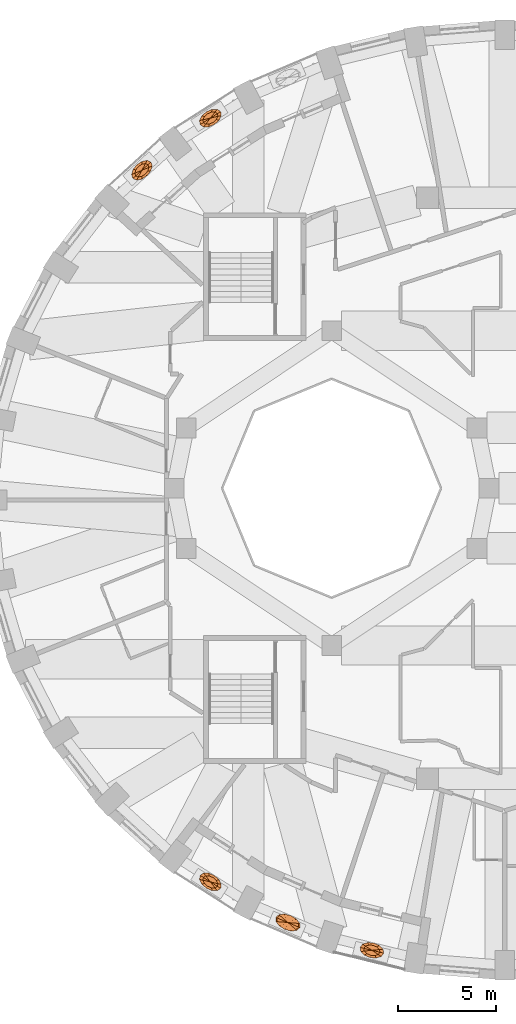
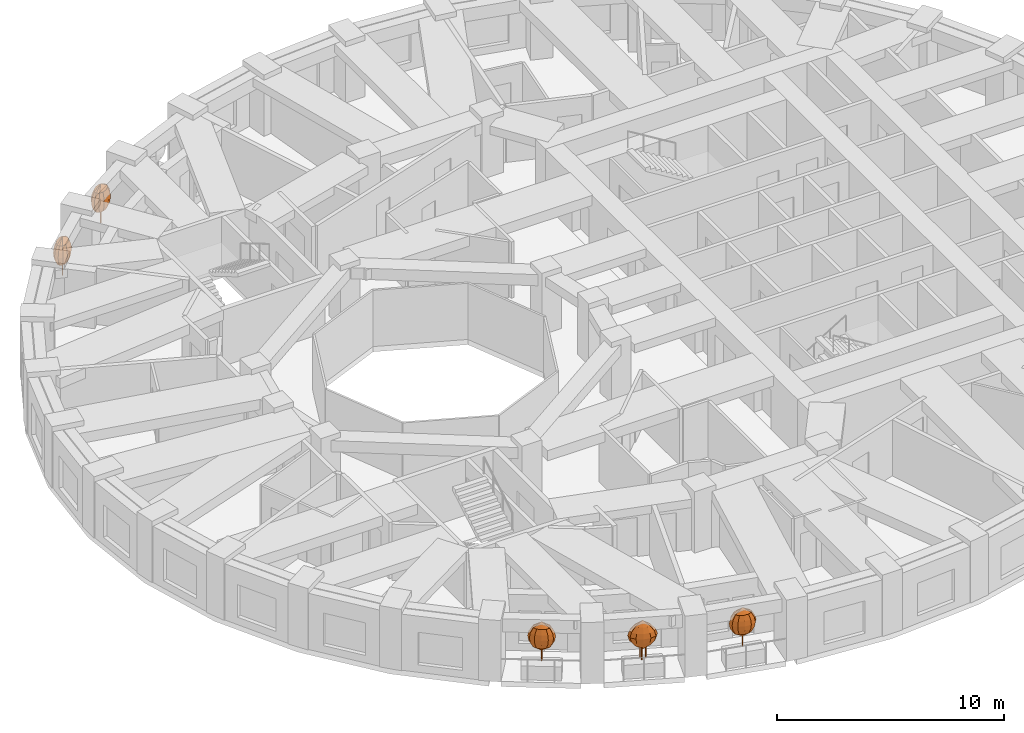
# One storey, part 11 of 12: 5 geographic elements.
"""IFC4 building model written with IfcOpenShell, lengths in metres."""

from ifc_helpers import new_model, si_unit, direction, frame, origin, place, context, subcontext, project, spatial, faceted_brep, material, constituent, constituent_set, type_object, element, save


model = new_model("IFC4")

# Units and contexts
model_context = context("Model", 3, precision=1e-05, world=origin(), true_north=direction((0.0, 1.0)))
body_context = subcontext(model_context, "Body", "Model", "MODEL_VIEW")
ifc_project = project(units=[si_unit("LENGTHUNIT", "METRE"), si_unit("AREAUNIT", "SQUARE_METRE"), si_unit("VOLUMEUNIT", "CUBIC_METRE"), si_unit("PLANEANGLEUNIT", "RADIAN"), si_unit("MASSUNIT", "GRAM", prefix="KILO")], contexts=[model_context])

# Site, building, storey
site_placement = place(None, origin())
site = spatial("IfcSite", under=ifc_project, at=site_placement, CompositionType="ELEMENT")
building_placement = place(site_placement, origin())
building = spatial("IfcBuilding", under=site, at=building_placement, Name="Taillehof Tower", CompositionType="ELEMENT")
storey_placement = place(building_placement, frame((0.0, 0.0, 121.89990234375)))
storey = spatial("IfcBuildingStorey", under=building, at=storey_placement, Name="L34", CompositionType="ELEMENT", Elevation=121.89990234375)

# Geographic elements
ifc_material_1 = material(Name="Tree bark", Category="timber")
ifc_constituent_1 = constituent(ifc_material_1, Name="Trunk", Category="timber")
ifc_material_2 = material(Name="Tree foliage")
ifc_constituent_2 = constituent(ifc_material_2, Name="Crown")
ifc_constituent_set_1 = constituent_set(constituents=[ifc_constituent_1, ifc_constituent_2], Name="Tree TR1 Columnar hornbeam")
geographic_element_type_1 = type_object("IfcGeographicElementType", Name="Tree TR1 Columnar hornbeam", PredefinedType="USERDEFINED", material=ifc_constituent_set_1)
geographic_element_1_placement = place(storey_placement, frame((-14.159423828125, -20.014404296875, 0.75)))
element("IfcGeographicElement", 1, at=geographic_element_1_placement, inside=storey, type_object=geographic_element_type_1, Name="Tree TR1 Columnar hornbeam", ObjectType="TREE", PredefinedType="USERDEFINED", context=body_context, shape_type="Brep", body=[
    faceted_brep([(0.030029296875, 0.0, 0.0), (0.021240234375, 0.021240234375, 0.0), (0.021240234375, 0.021240234375, 1.092529296875), (0.030029296875, 0.0, 1.092529296875), (0.0, 0.030029296875, 0.0), (0.0, 0.030029296875, 1.092529296875), (-0.021240234375, 0.021240234375, 0.0), (-0.021240234375, 0.021240234375, 1.092529296875), (-0.030029296875, 0.0, 0.0), (-0.030029296875, 0.0, 1.092529296875), (-0.021240234375, -0.021240234375, 0.0), (-0.021240234375, -0.021240234375, 1.092529296875), (0.0, -0.030029296875, 0.0), (0.0, -0.030029296875, 1.092529296875), (0.021240234375, -0.021240234375, 0.0), (0.021240234375, -0.021240234375, 1.092529296875)], [[[0, 1, 2, 3]], [[1, 4, 5, 2]], [[4, 6, 7, 5]], [[6, 8, 9, 7]], [[8, 10, 11, 9]], [[10, 12, 13, 11]], [[12, 14, 15, 13]], [[14, 0, 3, 15]], [[14, 12, 10, 8, 6, 4, 1, 0]], [[3, 2, 5, 7, 9, 11, 13, 15]]]),
    faceted_brep([(0.0, 0.0, 0.550048828125), (0.3779296875, -0.08642578125, 0.808349609375), (0.35595703125, -0.226318359375, 0.808349609375), (0.298583984375, 0.07666015625, 0.808349609375), (0.13916015625, 0.218994140625, 0.808349609375), (-0.057373046875, 0.302734375, 0.808349609375), (-0.238525390625, 0.305419921875, 0.808349609375), (-0.35595703125, 0.226318359375, 0.808349609375), (-0.3779296875, 0.08642578125, 0.808349609375), (-0.298583984375, -0.07666015625, 0.808349609375), (-0.13916015625, -0.218994140625, 0.808349609375), (0.057373046875, -0.302734375, 0.808349609375), (0.238525390625, -0.305419921875, 0.808349609375), (0.51123046875, -0.116943359375, 1.066650390625), (0.4814453125, -0.30615234375, 1.066650390625), (0.40380859375, 0.103515625, 1.066650390625), (0.1884765625, 0.29638671875, 1.066650390625), (-0.07763671875, 0.40966796875, 1.066650390625), (-0.32275390625, 0.413330078125, 1.066650390625), (-0.4814453125, 0.30615234375, 1.066650390625), (-0.51123046875, 0.116943359375, 1.066650390625), (-0.40380859375, -0.103515625, 1.066650390625), (-0.1884765625, -0.29638671875, 1.066650390625), (0.07763671875, -0.40966796875, 1.066650390625), (0.32275390625, -0.413330078125, 1.066650390625), (0.55322265625, -0.12646484375, 1.324951171875), (0.52099609375, -0.331298828125, 1.324951171875), (0.43701171875, 0.112060546875, 1.324951171875), (0.203857421875, 0.320556640625, 1.324951171875), (-0.083984375, 0.443359375, 1.324951171875), (-0.349365234375, 0.447265625, 1.324951171875), (-0.52099609375, 0.331298828125, 1.324951171875), (-0.55322265625, 0.12646484375, 1.324951171875), (-0.43701171875, -0.112060546875, 1.324951171875), (-0.203857421875, -0.320556640625, 1.324951171875), (0.083984375, -0.443359375, 1.324951171875), (0.349365234375, -0.447265625, 1.324951171875), (0.51123046875, -0.116943359375, 1.583251953125), (0.4814453125, -0.30615234375, 1.583251953125), (0.40380859375, 0.103515625, 1.583251953125), (0.1884765625, 0.29638671875, 1.583251953125), (-0.07763671875, 0.40966796875, 1.583251953125), (-0.32275390625, 0.413330078125, 1.583251953125), (-0.4814453125, 0.30615234375, 1.583251953125), (-0.51123046875, 0.116943359375, 1.583251953125), (-0.40380859375, -0.103515625, 1.583251953125), (-0.1884765625, -0.29638671875, 1.583251953125), (0.07763671875, -0.40966796875, 1.583251953125), (0.32275390625, -0.413330078125, 1.583251953125), (0.3779296875, -0.08642578125, 1.841552734375), (0.35595703125, -0.226318359375, 1.841552734375), (0.298583984375, 0.07666015625, 1.841552734375), (0.13916015625, 0.218994140625, 1.841552734375), (-0.057373046875, 0.302734375, 1.841552734375), (-0.238525390625, 0.305419921875, 1.841552734375), (-0.35595703125, 0.226318359375, 1.841552734375), (-0.3779296875, 0.08642578125, 1.841552734375), (-0.298583984375, -0.07666015625, 1.841552734375), (-0.13916015625, -0.218994140625, 1.841552734375), (0.057373046875, -0.302734375, 1.841552734375), (0.238525390625, -0.305419921875, 1.841552734375), (0.0, 0.0, 2.10009765625)], [[[0, 1, 2]], [[0, 3, 1]], [[0, 4, 3]], [[0, 5, 4]], [[0, 6, 5]], [[0, 7, 6]], [[0, 8, 7]], [[0, 9, 8]], [[0, 10, 9]], [[0, 11, 10]], [[0, 12, 11]], [[0, 2, 12]], [[2, 1, 13, 14]], [[1, 3, 15, 13]], [[3, 4, 16, 15]], [[4, 5, 17, 16]], [[5, 6, 18, 17]], [[6, 7, 19, 18]], [[7, 8, 20, 19]], [[8, 9, 21, 20]], [[9, 10, 22, 21]], [[10, 11, 23, 22]], [[11, 12, 24, 23]], [[12, 2, 14, 24]], [[14, 13, 25, 26]], [[13, 15, 27, 25]], [[15, 16, 28, 27]], [[16, 17, 29, 28]], [[17, 18, 30, 29]], [[18, 19, 31, 30]], [[19, 20, 32, 31]], [[20, 21, 33, 32]], [[21, 22, 34, 33]], [[22, 23, 35, 34]], [[23, 24, 36, 35]], [[24, 14, 26, 36]], [[26, 25, 37, 38]], [[25, 27, 39, 37]], [[27, 28, 40, 39]], [[28, 29, 41, 40]], [[29, 30, 42, 41]], [[30, 31, 43, 42]], [[31, 32, 44, 43]], [[32, 33, 45, 44]], [[33, 34, 46, 45]], [[34, 35, 47, 46]], [[35, 36, 48, 47]], [[36, 26, 38, 48]], [[38, 37, 49, 50]], [[37, 39, 51, 49]], [[39, 40, 52, 51]], [[40, 41, 53, 52]], [[41, 42, 54, 53]], [[42, 43, 55, 54]], [[43, 44, 56, 55]], [[44, 45, 57, 56]], [[45, 46, 58, 57]], [[46, 47, 59, 58]], [[47, 48, 60, 59]], [[48, 38, 50, 60]], [[50, 49, 61]], [[49, 51, 61]], [[51, 52, 61]], [[52, 53, 61]], [[53, 54, 61]], [[54, 55, 61]], [[55, 56, 61]], [[56, 57, 61]], [[57, 58, 61]], [[58, 59, 61]], [[59, 60, 61]], [[60, 50, 61]]]),
])
geographic_element_2_placement = place(storey_placement, frame((-5.94970703125, -23.49072265625, 0.75)))
element("IfcGeographicElement", 2, at=geographic_element_2_placement, inside=storey, type_object=geographic_element_type_1, Name="Tree TR1 Columnar hornbeam", ObjectType="TREE", PredefinedType="USERDEFINED", context=body_context, shape_type="Brep", body=[
    faceted_brep([(0.030029296875, 0.0, 0.0), (0.021240234375, 0.021240234375, 0.0), (0.021240234375, 0.021240234375, 1.092529296875), (0.030029296875, 0.0, 1.092529296875), (0.0, 0.030029296875, 0.0), (0.0, 0.030029296875, 1.092529296875), (-0.021240234375, 0.021240234375, 0.0), (-0.021240234375, 0.021240234375, 1.092529296875), (-0.030029296875, 0.0, 0.0), (-0.030029296875, 0.0, 1.092529296875), (-0.021240234375, -0.021240234375, 0.0), (-0.021240234375, -0.021240234375, 1.092529296875), (0.0, -0.030029296875, 0.0), (0.0, -0.030029296875, 1.092529296875), (0.021240234375, -0.021240234375, 0.0), (0.021240234375, -0.021240234375, 1.092529296875)], [[[0, 1, 2, 3]], [[1, 4, 5, 2]], [[4, 6, 7, 5]], [[6, 8, 9, 7]], [[8, 10, 11, 9]], [[10, 12, 13, 11]], [[12, 14, 15, 13]], [[14, 0, 3, 15]], [[14, 12, 10, 8, 6, 4, 1, 0]], [[3, 2, 5, 7, 9, 11, 13, 15]]]),
    faceted_brep([(0.0, 0.0, 0.550048828125), (0.385498046875, 0.039794921875, 0.808349609375), (0.409912109375, -0.099609375, 0.808349609375), (0.258056640625, 0.16845703125, 0.808349609375), (0.061279296875, 0.252197265625, 0.808349609375), (-0.15185546875, 0.268310546875, 0.808349609375), (-0.32421875, 0.21240234375, 0.808349609375), (-0.409912109375, 0.099609375, 0.808349609375), (-0.385498046875, -0.039794921875, 0.808349609375), (-0.258056640625, -0.16845703125, 0.808349609375), (-0.061279296875, -0.252197265625, 0.808349609375), (0.15185546875, -0.268310546875, 0.808349609375), (0.32421875, -0.21240234375, 0.808349609375), (0.521484375, 0.0537109375, 1.066650390625), (0.554443359375, -0.134765625, 1.066650390625), (0.34912109375, 0.22802734375, 1.066650390625), (0.0830078125, 0.341064453125, 1.066650390625), (-0.205322265625, 0.36279296875, 1.066650390625), (-0.4384765625, 0.287353515625, 1.066650390625), (-0.554443359375, 0.134765625, 1.066650390625), (-0.521484375, -0.0537109375, 1.066650390625), (-0.34912109375, -0.22802734375, 1.066650390625), (-0.0830078125, -0.341064453125, 1.066650390625), (0.205322265625, -0.36279296875, 1.066650390625), (0.4384765625, -0.287353515625, 1.066650390625), (0.564453125, 0.05810546875, 1.324951171875), (0.60009765625, -0.14599609375, 1.324951171875), (0.377685546875, 0.246826171875, 1.324951171875), (0.08984375, 0.369140625, 1.324951171875), (-0.22216796875, 0.392822265625, 1.324951171875), (-0.474609375, 0.31103515625, 1.324951171875), (-0.60009765625, 0.14599609375, 1.324951171875), (-0.564453125, -0.05810546875, 1.324951171875), (-0.377685546875, -0.246826171875, 1.324951171875), (-0.08984375, -0.369140625, 1.324951171875), (0.22216796875, -0.392822265625, 1.324951171875), (0.474609375, -0.31103515625, 1.324951171875), (0.521484375, 0.0537109375, 1.583251953125), (0.554443359375, -0.134765625, 1.583251953125), (0.34912109375, 0.22802734375, 1.583251953125), (0.0830078125, 0.341064453125, 1.583251953125), (-0.205322265625, 0.36279296875, 1.583251953125), (-0.4384765625, 0.287353515625, 1.583251953125), (-0.554443359375, 0.134765625, 1.583251953125), (-0.521484375, -0.0537109375, 1.583251953125), (-0.34912109375, -0.22802734375, 1.583251953125), (-0.0830078125, -0.341064453125, 1.583251953125), (0.205322265625, -0.36279296875, 1.583251953125), (0.4384765625, -0.287353515625, 1.583251953125), (0.385498046875, 0.039794921875, 1.841552734375), (0.409912109375, -0.099609375, 1.841552734375), (0.258056640625, 0.16845703125, 1.841552734375), (0.061279296875, 0.252197265625, 1.841552734375), (-0.15185546875, 0.268310546875, 1.841552734375), (-0.32421875, 0.21240234375, 1.841552734375), (-0.409912109375, 0.099609375, 1.841552734375), (-0.385498046875, -0.039794921875, 1.841552734375), (-0.258056640625, -0.16845703125, 1.841552734375), (-0.061279296875, -0.252197265625, 1.841552734375), (0.15185546875, -0.268310546875, 1.841552734375), (0.32421875, -0.21240234375, 1.841552734375), (0.0, 0.0, 2.10009765625)], [[[0, 1, 2]], [[0, 3, 1]], [[0, 4, 3]], [[0, 5, 4]], [[0, 6, 5]], [[0, 7, 6]], [[0, 8, 7]], [[0, 9, 8]], [[0, 10, 9]], [[0, 11, 10]], [[0, 12, 11]], [[0, 2, 12]], [[2, 1, 13, 14]], [[1, 3, 15, 13]], [[3, 4, 16, 15]], [[4, 5, 17, 16]], [[5, 6, 18, 17]], [[6, 7, 19, 18]], [[7, 8, 20, 19]], [[8, 9, 21, 20]], [[9, 10, 22, 21]], [[10, 11, 23, 22]], [[11, 12, 24, 23]], [[12, 2, 14, 24]], [[14, 13, 25, 26]], [[13, 15, 27, 25]], [[15, 16, 28, 27]], [[16, 17, 29, 28]], [[17, 18, 30, 29]], [[18, 19, 31, 30]], [[19, 20, 32, 31]], [[20, 21, 33, 32]], [[21, 22, 34, 33]], [[22, 23, 35, 34]], [[23, 24, 36, 35]], [[24, 14, 26, 36]], [[26, 25, 37, 38]], [[25, 27, 39, 37]], [[27, 28, 40, 39]], [[28, 29, 41, 40]], [[29, 30, 42, 41]], [[30, 31, 43, 42]], [[31, 32, 44, 43]], [[32, 33, 45, 44]], [[33, 34, 46, 45]], [[34, 35, 47, 46]], [[35, 36, 48, 47]], [[36, 26, 38, 48]], [[38, 37, 49, 50]], [[37, 39, 51, 49]], [[39, 40, 52, 51]], [[40, 41, 53, 52]], [[41, 42, 54, 53]], [[42, 43, 55, 54]], [[43, 44, 56, 55]], [[44, 45, 57, 56]], [[45, 46, 58, 57]], [[46, 47, 59, 58]], [[47, 48, 60, 59]], [[48, 38, 50, 60]], [[50, 49, 61]], [[49, 51, 61]], [[51, 52, 61]], [[52, 53, 61]], [[53, 54, 61]], [[54, 55, 61]], [[55, 56, 61]], [[56, 57, 61]], [[57, 58, 61]], [[58, 59, 61]], [[59, 60, 61]], [[60, 50, 61]]]),
])
geographic_element_3_placement = place(storey_placement, frame((-14.159423828125, 18.814453125, 0.75)))
element("IfcGeographicElement", 3, at=geographic_element_3_placement, inside=storey, type_object=geographic_element_type_1, Name="Tree TR1 Columnar hornbeam", ObjectType="TREE", PredefinedType="USERDEFINED", context=body_context, shape_type="Brep", body=[
    faceted_brep([(0.030029296875, 0.0, 0.0), (0.021240234375, 0.021240234375, 0.0), (0.021240234375, 0.021240234375, 1.092529296875), (0.030029296875, 0.0, 1.092529296875), (0.0, 0.030029296875, 0.0), (0.0, 0.030029296875, 1.092529296875), (-0.021240234375, 0.021240234375, 0.0), (-0.021240234375, 0.021240234375, 1.092529296875), (-0.030029296875, 0.0, 0.0), (-0.030029296875, 0.0, 1.092529296875), (-0.021240234375, -0.021240234375, 0.0), (-0.021240234375, -0.021240234375, 1.092529296875), (0.0, -0.030029296875, 0.0), (0.0, -0.030029296875, 1.092529296875), (0.021240234375, -0.021240234375, 0.0), (0.021240234375, -0.021240234375, 1.092529296875)], [[[0, 1, 2, 3]], [[1, 4, 5, 2]], [[4, 6, 7, 5]], [[6, 8, 9, 7]], [[8, 10, 11, 9]], [[10, 12, 13, 11]], [[12, 14, 15, 13]], [[14, 0, 3, 15]], [[14, 12, 10, 8, 6, 4, 1, 0]], [[3, 2, 5, 7, 9, 11, 13, 15]]]),
    faceted_brep([(0.0, 0.0, 0.550048828125), (-0.238525390625, -0.305419921875, 0.808349609375), (-0.35595703125, -0.226318359375, 0.808349609375), (-0.057373046875, -0.302734375, 0.808349609375), (0.13916015625, -0.218994140625, 0.808349609375), (0.298583984375, -0.07666015625, 0.808349609375), (0.3779296875, 0.08642578125, 0.808349609375), (0.35595703125, 0.226318359375, 0.808349609375), (0.238525390625, 0.305419921875, 0.808349609375), (0.057373046875, 0.302734375, 0.808349609375), (-0.13916015625, 0.218994140625, 0.808349609375), (-0.298583984375, 0.07666015625, 0.808349609375), (-0.3779296875, -0.08642578125, 0.808349609375), (-0.32275390625, -0.413330078125, 1.066650390625), (-0.4814453125, -0.30615234375, 1.066650390625), (-0.07763671875, -0.40966796875, 1.066650390625), (0.1884765625, -0.29638671875, 1.066650390625), (0.40380859375, -0.103515625, 1.066650390625), (0.51123046875, 0.116943359375, 1.066650390625), (0.4814453125, 0.30615234375, 1.066650390625), (0.32275390625, 0.413330078125, 1.066650390625), (0.07763671875, 0.40966796875, 1.066650390625), (-0.1884765625, 0.29638671875, 1.066650390625), (-0.40380859375, 0.103515625, 1.066650390625), (-0.51123046875, -0.116943359375, 1.066650390625), (-0.349365234375, -0.447265625, 1.324951171875), (-0.52099609375, -0.331298828125, 1.324951171875), (-0.083984375, -0.443359375, 1.324951171875), (0.203857421875, -0.320556640625, 1.324951171875), (0.43701171875, -0.112060546875, 1.324951171875), (0.55322265625, 0.12646484375, 1.324951171875), (0.52099609375, 0.331298828125, 1.324951171875), (0.349365234375, 0.447265625, 1.324951171875), (0.083984375, 0.443359375, 1.324951171875), (-0.203857421875, 0.320556640625, 1.324951171875), (-0.43701171875, 0.112060546875, 1.324951171875), (-0.55322265625, -0.12646484375, 1.324951171875), (-0.32275390625, -0.413330078125, 1.583251953125), (-0.4814453125, -0.30615234375, 1.583251953125), (-0.07763671875, -0.40966796875, 1.583251953125), (0.1884765625, -0.29638671875, 1.583251953125), (0.40380859375, -0.103515625, 1.583251953125), (0.51123046875, 0.116943359375, 1.583251953125), (0.4814453125, 0.30615234375, 1.583251953125), (0.32275390625, 0.413330078125, 1.583251953125), (0.07763671875, 0.40966796875, 1.583251953125), (-0.1884765625, 0.29638671875, 1.583251953125), (-0.40380859375, 0.103515625, 1.583251953125), (-0.51123046875, -0.116943359375, 1.583251953125), (-0.238525390625, -0.305419921875, 1.841552734375), (-0.35595703125, -0.226318359375, 1.841552734375), (-0.057373046875, -0.302734375, 1.841552734375), (0.13916015625, -0.218994140625, 1.841552734375), (0.298583984375, -0.07666015625, 1.841552734375), (0.3779296875, 0.08642578125, 1.841552734375), (0.35595703125, 0.226318359375, 1.841552734375), (0.238525390625, 0.305419921875, 1.841552734375), (0.057373046875, 0.302734375, 1.841552734375), (-0.13916015625, 0.218994140625, 1.841552734375), (-0.298583984375, 0.07666015625, 1.841552734375), (-0.3779296875, -0.08642578125, 1.841552734375), (0.0, 0.0, 2.10009765625)], [[[0, 1, 2]], [[0, 3, 1]], [[0, 4, 3]], [[0, 5, 4]], [[0, 6, 5]], [[0, 7, 6]], [[0, 8, 7]], [[0, 9, 8]], [[0, 10, 9]], [[0, 11, 10]], [[0, 12, 11]], [[0, 2, 12]], [[2, 1, 13, 14]], [[1, 3, 15, 13]], [[3, 4, 16, 15]], [[4, 5, 17, 16]], [[5, 6, 18, 17]], [[6, 7, 19, 18]], [[7, 8, 20, 19]], [[8, 9, 21, 20]], [[9, 10, 22, 21]], [[10, 11, 23, 22]], [[11, 12, 24, 23]], [[12, 2, 14, 24]], [[14, 13, 25, 26]], [[13, 15, 27, 25]], [[15, 16, 28, 27]], [[16, 17, 29, 28]], [[17, 18, 30, 29]], [[18, 19, 31, 30]], [[19, 20, 32, 31]], [[20, 21, 33, 32]], [[21, 22, 34, 33]], [[22, 23, 35, 34]], [[23, 24, 36, 35]], [[24, 14, 26, 36]], [[26, 25, 37, 38]], [[25, 27, 39, 37]], [[27, 28, 40, 39]], [[28, 29, 41, 40]], [[29, 30, 42, 41]], [[30, 31, 43, 42]], [[31, 32, 44, 43]], [[32, 33, 45, 44]], [[33, 34, 46, 45]], [[34, 35, 47, 46]], [[35, 36, 48, 47]], [[36, 26, 38, 48]], [[38, 37, 49, 50]], [[37, 39, 51, 49]], [[39, 40, 52, 51]], [[40, 41, 53, 52]], [[41, 42, 54, 53]], [[42, 43, 55, 54]], [[43, 44, 56, 55]], [[44, 45, 57, 56]], [[45, 46, 58, 57]], [[46, 47, 59, 58]], [[47, 48, 60, 59]], [[48, 38, 50, 60]], [[50, 49, 61]], [[49, 51, 61]], [[51, 52, 61]], [[52, 53, 61]], [[53, 54, 61]], [[54, 55, 61]], [[55, 56, 61]], [[56, 57, 61]], [[57, 58, 61]], [[58, 59, 61]], [[59, 60, 61]], [[60, 50, 61]]]),
])
geographic_element_4_placement = place(storey_placement, frame((-17.643310546875, 16.16015625, 0.75)))
element("IfcGeographicElement", 4, at=geographic_element_4_placement, inside=storey, type_object=geographic_element_type_1, Name="Tree TR1 Columnar hornbeam", ObjectType="TREE", PredefinedType="USERDEFINED", context=body_context, shape_type="Brep", body=[
    faceted_brep([(0.030029296875, 0.0, 0.0), (0.021240234375, 0.021240234375, 0.0), (0.021240234375, 0.021240234375, 1.092529296875), (0.030029296875, 0.0, 1.092529296875), (0.0, 0.030029296875, 0.0), (0.0, 0.030029296875, 1.092529296875), (-0.021240234375, 0.021240234375, 0.0), (-0.021240234375, 0.021240234375, 1.092529296875), (-0.030029296875, 0.0, 0.0), (-0.030029296875, 0.0, 1.092529296875), (-0.021240234375, -0.021240234375, 0.0), (-0.021240234375, -0.021240234375, 1.092529296875), (0.0, -0.030029296875, 0.0), (0.0, -0.030029296875, 1.092529296875), (0.021240234375, -0.021240234375, 0.0), (0.021240234375, -0.021240234375, 1.092529296875)], [[[0, 1, 2, 3]], [[1, 4, 5, 2]], [[4, 6, 7, 5]], [[6, 8, 9, 7]], [[8, 10, 11, 9]], [[10, 12, 13, 11]], [[12, 14, 15, 13]], [[14, 0, 3, 15]], [[14, 12, 10, 8, 6, 4, 1, 0]], [[3, 2, 5, 7, 9, 11, 13, 15]]]),
    faceted_brep([(0.0, 0.0, 0.550048828125), (-0.18310546875, -0.341552734375, 0.808349609375), (-0.312255859375, -0.283447265625, 0.808349609375), (-0.005126953125, -0.30810546875, 0.808349609375), (0.174560546875, -0.192138671875, 0.808349609375), (0.30712890625, -0.024658203125, 0.808349609375), (0.357666015625, 0.1494140625, 0.808349609375), (0.312255859375, 0.283447265625, 0.808349609375), (0.18310546875, 0.341552734375, 0.808349609375), (0.005126953125, 0.30810546875, 0.808349609375), (-0.174560546875, 0.192138671875, 0.808349609375), (-0.30712890625, 0.024658203125, 0.808349609375), (-0.357666015625, -0.1494140625, 0.808349609375), (-0.247802734375, -0.462158203125, 1.066650390625), (-0.42236328125, -0.383544921875, 1.066650390625), (-0.0068359375, -0.4169921875, 1.066650390625), (0.236083984375, -0.260009765625, 1.066650390625), (0.41552734375, -0.033447265625, 1.066650390625), (0.48388671875, 0.2021484375, 1.066650390625), (0.42236328125, 0.383544921875, 1.066650390625), (0.247802734375, 0.462158203125, 1.066650390625), (0.0068359375, 0.4169921875, 1.066650390625), (-0.236083984375, 0.260009765625, 1.066650390625), (-0.41552734375, 0.033447265625, 1.066650390625), (-0.48388671875, -0.2021484375, 1.066650390625), (-0.268310546875, -0.500244140625, 1.324951171875), (-0.457275390625, -0.4150390625, 1.324951171875), (-0.00732421875, -0.451171875, 1.324951171875), (0.25537109375, -0.28125, 1.324951171875), (0.44970703125, -0.0361328125, 1.324951171875), (0.523681640625, 0.21875, 1.324951171875), (0.457275390625, 0.4150390625, 1.324951171875), (0.268310546875, 0.500244140625, 1.324951171875), (0.00732421875, 0.451171875, 1.324951171875), (-0.25537109375, 0.28125, 1.324951171875), (-0.44970703125, 0.0361328125, 1.324951171875), (-0.523681640625, -0.21875, 1.324951171875), (-0.247802734375, -0.462158203125, 1.583251953125), (-0.42236328125, -0.383544921875, 1.583251953125), (-0.0068359375, -0.4169921875, 1.583251953125), (0.236083984375, -0.260009765625, 1.583251953125), (0.41552734375, -0.033447265625, 1.583251953125), (0.48388671875, 0.2021484375, 1.583251953125), (0.42236328125, 0.383544921875, 1.583251953125), (0.247802734375, 0.462158203125, 1.583251953125), (0.0068359375, 0.4169921875, 1.583251953125), (-0.236083984375, 0.260009765625, 1.583251953125), (-0.41552734375, 0.033447265625, 1.583251953125), (-0.48388671875, -0.2021484375, 1.583251953125), (-0.18310546875, -0.341552734375, 1.841552734375), (-0.312255859375, -0.283447265625, 1.841552734375), (-0.005126953125, -0.30810546875, 1.841552734375), (0.174560546875, -0.192138671875, 1.841552734375), (0.30712890625, -0.024658203125, 1.841552734375), (0.357666015625, 0.1494140625, 1.841552734375), (0.312255859375, 0.283447265625, 1.841552734375), (0.18310546875, 0.341552734375, 1.841552734375), (0.005126953125, 0.30810546875, 1.841552734375), (-0.174560546875, 0.192138671875, 1.841552734375), (-0.30712890625, 0.024658203125, 1.841552734375), (-0.357666015625, -0.1494140625, 1.841552734375), (0.0, 0.0, 2.10009765625)], [[[0, 1, 2]], [[0, 3, 1]], [[0, 4, 3]], [[0, 5, 4]], [[0, 6, 5]], [[0, 7, 6]], [[0, 8, 7]], [[0, 9, 8]], [[0, 10, 9]], [[0, 11, 10]], [[0, 12, 11]], [[0, 2, 12]], [[2, 1, 13, 14]], [[1, 3, 15, 13]], [[3, 4, 16, 15]], [[4, 5, 17, 16]], [[5, 6, 18, 17]], [[6, 7, 19, 18]], [[7, 8, 20, 19]], [[8, 9, 21, 20]], [[9, 10, 22, 21]], [[10, 11, 23, 22]], [[11, 12, 24, 23]], [[12, 2, 14, 24]], [[14, 13, 25, 26]], [[13, 15, 27, 25]], [[15, 16, 28, 27]], [[16, 17, 29, 28]], [[17, 18, 30, 29]], [[18, 19, 31, 30]], [[19, 20, 32, 31]], [[20, 21, 33, 32]], [[21, 22, 34, 33]], [[22, 23, 35, 34]], [[23, 24, 36, 35]], [[24, 14, 26, 36]], [[26, 25, 37, 38]], [[25, 27, 39, 37]], [[27, 28, 40, 39]], [[28, 29, 41, 40]], [[29, 30, 42, 41]], [[30, 31, 43, 42]], [[31, 32, 44, 43]], [[32, 33, 45, 44]], [[33, 34, 46, 45]], [[34, 35, 47, 46]], [[35, 36, 48, 47]], [[36, 26, 38, 48]], [[38, 37, 49, 50]], [[37, 39, 51, 49]], [[39, 40, 52, 51]], [[40, 41, 53, 52]], [[41, 42, 54, 53]], [[42, 43, 55, 54]], [[43, 44, 56, 55]], [[44, 45, 57, 56]], [[45, 46, 58, 57]], [[46, 47, 59, 58]], [[47, 48, 60, 59]], [[48, 38, 50, 60]], [[50, 49, 61]], [[49, 51, 61]], [[51, 52, 61]], [[52, 53, 61]], [[53, 54, 61]], [[54, 55, 61]], [[55, 56, 61]], [[56, 57, 61]], [[57, 58, 61]], [[58, 59, 61]], [[59, 60, 61]], [[60, 50, 61]]]),
])
ifc_material_3 = material(Name="Tree bark", Category="timber")
ifc_constituent_3 = constituent(ifc_material_3, Name="Trunk", Category="timber")
ifc_material_4 = material(Name="Tree foliage")
ifc_constituent_4 = constituent(ifc_material_4, Name="Crown")
ifc_constituent_set_2 = constituent_set(constituents=[ifc_constituent_3, ifc_constituent_4], Name="Tree TR3 Multi-stem serviceberry")
geographic_element_type_2 = type_object("IfcGeographicElementType", Name="Tree TR3 Multi-stem serviceberry", PredefinedType="USERDEFINED", material=ifc_constituent_set_2)
geographic_element_5_placement = place(storey_placement, frame((-10.2216796875, -22.078857421875, 0.75)))
element("IfcGeographicElement", 5, at=geographic_element_5_placement, inside=storey, type_object=geographic_element_type_2, Name="Tree TR3 Multi-stem serviceberry", ObjectType="TREE", PredefinedType="USERDEFINED", context=body_context, shape_type="Brep", body=[
    faceted_brep([(0.195068359375, 0.0, 0.0), (0.186767578125, 0.0205078125, 0.0), (0.186767578125, 0.0205078125, 1.04248046875), (0.195068359375, 0.0, 1.04248046875), (0.166259765625, 0.02880859375, 0.0), (0.166259765625, 0.02880859375, 1.04248046875), (0.145751953125, 0.0205078125, 0.0), (0.145751953125, 0.0205078125, 1.04248046875), (0.137451171875, 0.0, 0.0), (0.137451171875, 0.0, 1.04248046875), (0.145751953125, -0.0205078125, 0.0), (0.145751953125, -0.0205078125, 1.04248046875), (0.166259765625, -0.02880859375, 0.0), (0.166259765625, -0.02880859375, 1.04248046875), (0.186767578125, -0.0205078125, 0.0), (0.186767578125, -0.0205078125, 1.04248046875)], [[[0, 1, 2, 3]], [[1, 4, 5, 2]], [[4, 6, 7, 5]], [[6, 8, 9, 7]], [[8, 10, 11, 9]], [[10, 12, 13, 11]], [[12, 14, 15, 13]], [[14, 0, 3, 15]], [[14, 12, 10, 8, 6, 4, 1, 0]], [[3, 2, 5, 7, 9, 11, 13, 15]]]),
    faceted_brep([(-0.05419921875, 0.082275390625, 0.0), (-0.062744140625, 0.102783203125, 0.0), (-0.062744140625, 0.102783203125, 1.04248046875), (-0.05419921875, 0.082275390625, 1.04248046875), (-0.0830078125, 0.111083984375, 0.0), (-0.0830078125, 0.111083984375, 1.04248046875), (-0.103515625, 0.102783203125, 0.0), (-0.103515625, 0.102783203125, 1.04248046875), (-0.112060546875, 0.082275390625, 0.0), (-0.112060546875, 0.082275390625, 1.04248046875), (-0.103515625, 0.061767578125, 0.0), (-0.103515625, 0.061767578125, 1.04248046875), (-0.0830078125, 0.053466796875, 0.0), (-0.0830078125, 0.053466796875, 1.04248046875), (-0.062744140625, 0.061767578125, 0.0), (-0.062744140625, 0.061767578125, 1.04248046875)], [[[0, 1, 2, 3]], [[1, 4, 5, 2]], [[4, 6, 7, 5]], [[6, 8, 9, 7]], [[8, 10, 11, 9]], [[10, 12, 13, 11]], [[12, 14, 15, 13]], [[14, 0, 3, 15]], [[14, 12, 10, 8, 6, 4, 1, 0]], [[3, 2, 5, 7, 9, 11, 13, 15]]]),
    faceted_brep([(-0.05419921875, -0.082275390625, 0.0), (-0.062744140625, -0.061767578125, 0.0), (-0.062744140625, -0.061767578125, 1.04248046875), (-0.05419921875, -0.082275390625, 1.04248046875), (-0.0830078125, -0.053466796875, 0.0), (-0.0830078125, -0.053466796875, 1.04248046875), (-0.103515625, -0.061767578125, 0.0), (-0.103515625, -0.061767578125, 1.04248046875), (-0.112060546875, -0.082275390625, 0.0), (-0.112060546875, -0.082275390625, 1.04248046875), (-0.103515625, -0.102783203125, 0.0), (-0.103515625, -0.102783203125, 1.04248046875), (-0.0830078125, -0.111083984375, 0.0), (-0.0830078125, -0.111083984375, 1.04248046875), (-0.062744140625, -0.102783203125, 0.0), (-0.062744140625, -0.102783203125, 1.04248046875)], [[[0, 1, 2, 3]], [[1, 4, 5, 2]], [[4, 6, 7, 5]], [[6, 8, 9, 7]], [[8, 10, 11, 9]], [[10, 12, 13, 11]], [[12, 14, 15, 13]], [[14, 0, 3, 15]], [[14, 12, 10, 8, 6, 4, 1, 0]], [[3, 2, 5, 7, 9, 11, 13, 15]]]),
    faceted_brep([(0.0, 0.0, 0.5), (0.34716796875, -0.028564453125, 0.75830078125), (0.351806640625, -0.14892578125, 0.75830078125), (0.24951171875, 0.099609375, 0.75830078125), (0.085205078125, 0.200927734375, 0.75830078125), (-0.10205078125, 0.24853515625, 0.75830078125), (-0.261962890625, 0.2294921875, 0.75830078125), (-0.351806640625, 0.14892578125, 0.75830078125), (-0.34716796875, 0.028564453125, 0.75830078125), (-0.24951171875, -0.099609375, 0.75830078125), (-0.085205078125, -0.200927734375, 0.75830078125), (0.10205078125, -0.24853515625, 0.75830078125), (0.261962890625, -0.2294921875, 0.75830078125), (0.538818359375, -0.044189453125, 1.0166015625), (0.5458984375, -0.231201171875, 1.0166015625), (0.38720703125, 0.154541015625, 1.0166015625), (0.132080078125, 0.31201171875, 1.0166015625), (-0.158447265625, 0.3857421875, 1.0166015625), (-0.40673828125, 0.356201171875, 1.0166015625), (-0.5458984375, 0.231201171875, 1.0166015625), (-0.538818359375, 0.044189453125, 1.0166015625), (-0.38720703125, -0.154541015625, 1.0166015625), (-0.132080078125, -0.31201171875, 1.0166015625), (0.158447265625, -0.3857421875, 1.0166015625), (0.40673828125, -0.356201171875, 1.0166015625), (0.6044921875, -0.049560546875, 1.27490234375), (0.6123046875, -0.25927734375, 1.27490234375), (0.4345703125, 0.17333984375, 1.27490234375), (0.148193359375, 0.349853515625, 1.27490234375), (-0.177978515625, 0.4326171875, 1.27490234375), (-0.456298828125, 0.3994140625, 1.27490234375), (-0.6123046875, 0.25927734375, 1.27490234375), (-0.6044921875, 0.049560546875, 1.27490234375), (-0.4345703125, -0.17333984375, 1.27490234375), (-0.148193359375, -0.349853515625, 1.27490234375), (0.177978515625, -0.4326171875, 1.27490234375), (0.456298828125, -0.3994140625, 1.27490234375), (0.538818359375, -0.044189453125, 1.533447265625), (0.5458984375, -0.231201171875, 1.533447265625), (0.38720703125, 0.154541015625, 1.533447265625), (0.132080078125, 0.31201171875, 1.533447265625), (-0.158447265625, 0.3857421875, 1.533447265625), (-0.40673828125, 0.356201171875, 1.533447265625), (-0.5458984375, 0.231201171875, 1.533447265625), (-0.538818359375, 0.044189453125, 1.533447265625), (-0.38720703125, -0.154541015625, 1.533447265625), (-0.132080078125, -0.31201171875, 1.533447265625), (0.158447265625, -0.3857421875, 1.533447265625), (0.40673828125, -0.356201171875, 1.533447265625), (0.34716796875, -0.028564453125, 1.791748046875), (0.351806640625, -0.14892578125, 1.791748046875), (0.24951171875, 0.099609375, 1.791748046875), (0.085205078125, 0.200927734375, 1.791748046875), (-0.10205078125, 0.24853515625, 1.791748046875), (-0.261962890625, 0.2294921875, 1.791748046875), (-0.351806640625, 0.14892578125, 1.791748046875), (-0.34716796875, 0.028564453125, 1.791748046875), (-0.24951171875, -0.099609375, 1.791748046875), (-0.085205078125, -0.200927734375, 1.791748046875), (0.10205078125, -0.24853515625, 1.791748046875), (0.261962890625, -0.2294921875, 1.791748046875), (0.0, 0.0, 2.050048828125)], [[[0, 1, 2]], [[0, 3, 1]], [[0, 4, 3]], [[0, 5, 4]], [[0, 6, 5]], [[0, 7, 6]], [[0, 8, 7]], [[0, 9, 8]], [[0, 10, 9]], [[0, 11, 10]], [[0, 12, 11]], [[0, 2, 12]], [[2, 1, 13, 14]], [[1, 3, 15, 13]], [[3, 4, 16, 15]], [[4, 5, 17, 16]], [[5, 6, 18, 17]], [[6, 7, 19, 18]], [[7, 8, 20, 19]], [[8, 9, 21, 20]], [[9, 10, 22, 21]], [[10, 11, 23, 22]], [[11, 12, 24, 23]], [[12, 2, 14, 24]], [[14, 13, 25, 26]], [[13, 15, 27, 25]], [[15, 16, 28, 27]], [[16, 17, 29, 28]], [[17, 18, 30, 29]], [[18, 19, 31, 30]], [[19, 20, 32, 31]], [[20, 21, 33, 32]], [[21, 22, 34, 33]], [[22, 23, 35, 34]], [[23, 24, 36, 35]], [[24, 14, 26, 36]], [[26, 25, 37, 38]], [[25, 27, 39, 37]], [[27, 28, 40, 39]], [[28, 29, 41, 40]], [[29, 30, 42, 41]], [[30, 31, 43, 42]], [[31, 32, 44, 43]], [[32, 33, 45, 44]], [[33, 34, 46, 45]], [[34, 35, 47, 46]], [[35, 36, 48, 47]], [[36, 26, 38, 48]], [[38, 37, 49, 50]], [[37, 39, 51, 49]], [[39, 40, 52, 51]], [[40, 41, 53, 52]], [[41, 42, 54, 53]], [[42, 43, 55, 54]], [[43, 44, 56, 55]], [[44, 45, 57, 56]], [[45, 46, 58, 57]], [[46, 47, 59, 58]], [[47, 48, 60, 59]], [[48, 38, 50, 60]], [[50, 49, 61]], [[49, 51, 61]], [[51, 52, 61]], [[52, 53, 61]], [[53, 54, 61]], [[54, 55, 61]], [[55, 56, 61]], [[56, 57, 61]], [[57, 58, 61]], [[58, 59, 61]], [[59, 60, 61]], [[60, 50, 61]]]),
])

save(model, "model.ifc")
